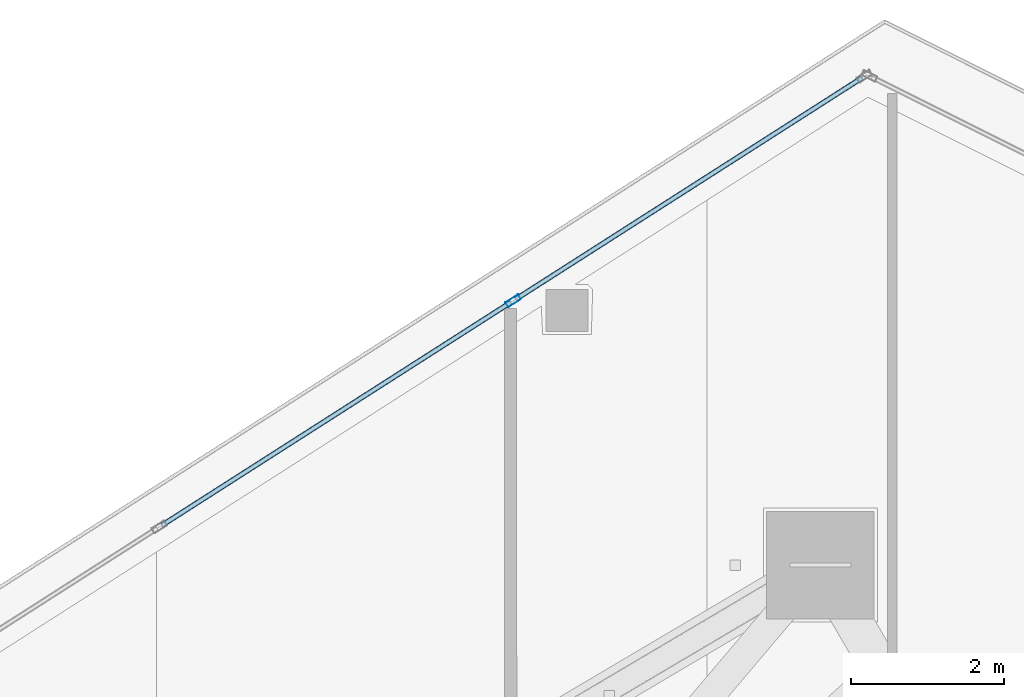
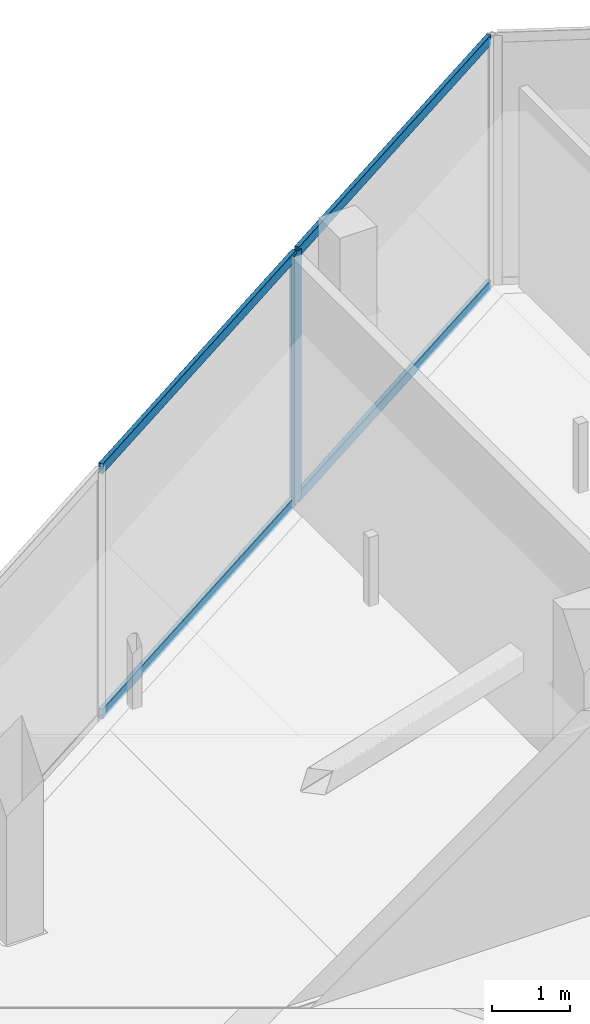
# One storey, part 16 of 30: 5 members, 1 element without a shape of its own.
"""IFC4 building model written with IfcOpenShell, lengths in metres."""

from ifc_helpers import new_model, si_unit, direction, frame, origin, origin_2d, place, context, subcontext, project, spatial, hollow_rectangle, extrude, material, layer, layer_set, material_profile, profile_set, type_object, element, aggregate, save


model = new_model("IFC4")

# Units and contexts
model_context = context("Model", 3, precision=1e-05, world=origin(), true_north=direction((0.0, 1.0)))
body_context = subcontext(model_context, "Body", "Model", "MODEL_VIEW")
ifc_project = project(units=[si_unit("LENGTHUNIT", "METRE"), si_unit("AREAUNIT", "SQUARE_METRE"), si_unit("VOLUMEUNIT", "CUBIC_METRE"), si_unit("PLANEANGLEUNIT", "RADIAN"), si_unit("MASSUNIT", "GRAM", prefix="KILO")], contexts=[model_context])

# Site, building, storey
site_placement = place(None, origin())
site = spatial("IfcSite", under=ifc_project, at=site_placement, CompositionType="ELEMENT")
building_placement = place(site_placement, origin())
building = spatial("IfcBuilding", under=site, at=building_placement, Name="Qorvath Tower", CompositionType="ELEMENT")
storey_placement = place(building_placement, frame((0.0, 0.0, 289.199951171875)))
storey = spatial("IfcBuildingStorey", under=building, at=storey_placement, Name="L67", CompositionType="ELEMENT", Elevation=289.199951171875)

# Curtain wall, members
ifc_material_1 = material(Name="Anodised aluminium and triple low-E glass", Category="aluminium")
ifc_layer = layer(ifc_material_1, 0.179931640625)
ifc_layer_set = layer_set([ifc_layer], Name="CW-SYS-5")
curtain_wall_type = type_object("IfcCurtainWallType", Name="CW-SYS-5", PredefinedType="NOTDEFINED", material=ifc_layer_set)
curtain_wall_placement = place(storey_placement, origin())
curtain_wall = element("IfcCurtainWall", 1, at=curtain_wall_placement, inside=storey, type_object=curtain_wall_type, Name="Curtain Wall CW-5 CW-T-L67-16.1", PredefinedType="NOTDEFINED")
ifc_material_2 = material(Name="Anodised aluminium 6063-T6", Category="aluminium")
ifc_material_profile_1 = material_profile(ifc_material_2, hollow_rectangle(XDim=0.074951171875, YDim=0.199951171875, WallThickness=0.00390625, InnerFilletRadius=0.00390625, OuterFilletRadius=0.008056640625, at=origin_2d()), Name="CWM 200x75")
ifc_profile_set_1 = profile_set([ifc_material_profile_1], Name="Anodised aluminium 6063-T6")
member_type_1 = type_object("IfcMemberType", Name="CWM-200", PredefinedType="MULLION", material=ifc_profile_set_1)
member_1_placement = place(storey_placement, frame((-22.75390625, 20.61962890625, 0.0), z_axis=(0.0, 0.0, 1.0), x_axis=(0.538536873294, -0.842601944042, 0.0)))
member_1 = element("IfcMember", 2, at=member_1_placement, type_object=member_type_1, Name="CW-5 mullion 2", PredefinedType="MULLION", context=body_context, shape_type="SweptSolid", body=[
    extrude(hollow_rectangle(XDim=0.074951171875, YDim=0.199951171875, WallThickness=0.00390625, InnerFilletRadius=0.00390625, OuterFilletRadius=0.008056640625, at=origin_2d()), origin(), (0.0, 0.0, 1.0), 3.91015625),
])
ifc_material_3 = material(Name="Anodised aluminium 6063-T6", Category="aluminium")
ifc_material_profile_2 = material_profile(ifc_material_3, hollow_rectangle(XDim=0.06494140625, YDim=0.159912109375, WallThickness=0.00341796875, InnerFilletRadius=0.00341796875, OuterFilletRadius=0.007080078125, at=origin_2d()), Name="CWT 160x65")
ifc_profile_set_2 = profile_set([ifc_material_profile_2], Name="Anodised aluminium 6063-T6")
member_type_2 = type_object("IfcMemberType", Name="CWT-160", PredefinedType="USERDEFINED", material=ifc_profile_set_2)
member_2_placement = place(storey_placement, frame((-18.208251953125, 23.52490234375, 0.032470703125), z_axis=(-0.842580799685, -0.538569954604, 0.0), x_axis=(0.538569954604, -0.842580799685, 0.0)))
member_2 = element("IfcMember", 3, at=member_2_placement, type_object=member_type_2, Name="CW-5 transom 1.1", ObjectType="TRANSOM", PredefinedType="USERDEFINED", context=body_context, shape_type="SweptSolid", body=[
    extrude(hollow_rectangle(XDim=0.06494140625, YDim=0.159912109375, WallThickness=0.00341796875, InnerFilletRadius=0.00341796875, OuterFilletRadius=0.007080078125, at=origin_2d()), origin(), (0.0, 0.0, 1.0), 5.357177734375),
])
member_3_placement = place(storey_placement, frame((-18.208251953125, 23.52490234375, 3.877685546875), z_axis=(-0.842580799685, -0.538569954604, 0.0), x_axis=(0.538569954604, -0.842580799685, 0.0)))
member_3 = element("IfcMember", 4, at=member_3_placement, type_object=member_type_2, Name="CW-5 transom 1.2", ObjectType="TRANSOM", PredefinedType="USERDEFINED", context=body_context, shape_type="SweptSolid", body=[
    extrude(hollow_rectangle(XDim=0.06494140625, YDim=0.159912109375, WallThickness=0.00341796875, InnerFilletRadius=0.00341796875, OuterFilletRadius=0.007080078125, at=origin_2d()), origin(), (0.0, 0.0, 1.0), 5.357177734375),
])
member_4_placement = place(storey_placement, frame((-22.785400390625, 20.599365234375, 0.032470703125), z_axis=(-0.842603282272, -0.538534779475, 0.0), x_axis=(0.538534779475, -0.842603282272, 0.0)))
member_4 = element("IfcMember", 5, at=member_4_placement, type_object=member_type_2, Name="CW-5 transom 2.1", ObjectType="TRANSOM", PredefinedType="USERDEFINED", context=body_context, shape_type="SweptSolid", body=[
    extrude(hollow_rectangle(XDim=0.06494140625, YDim=0.159912109375, WallThickness=0.00341796875, InnerFilletRadius=0.00341796875, OuterFilletRadius=0.007080078125, at=origin_2d()), origin(), (0.0, 0.0, 1.0), 5.394775390625),
])
member_5_placement = place(storey_placement, frame((-22.785400390625, 20.599365234375, 3.877685546875), z_axis=(-0.842603282272, -0.538534779475, 0.0), x_axis=(0.538534779475, -0.842603282272, 0.0)))
member_5 = element("IfcMember", 6, at=member_5_placement, type_object=member_type_2, Name="CW-5 transom 2.2", ObjectType="TRANSOM", PredefinedType="USERDEFINED", context=body_context, shape_type="SweptSolid", body=[
    extrude(hollow_rectangle(XDim=0.06494140625, YDim=0.159912109375, WallThickness=0.00341796875, InnerFilletRadius=0.00341796875, OuterFilletRadius=0.007080078125, at=origin_2d()), origin(), (0.0, 0.0, 1.0), 5.394775390625),
])
aggregate(curtain_wall, [member_1, member_2, member_3, member_4, member_5])

save(model, "model.ifc")
